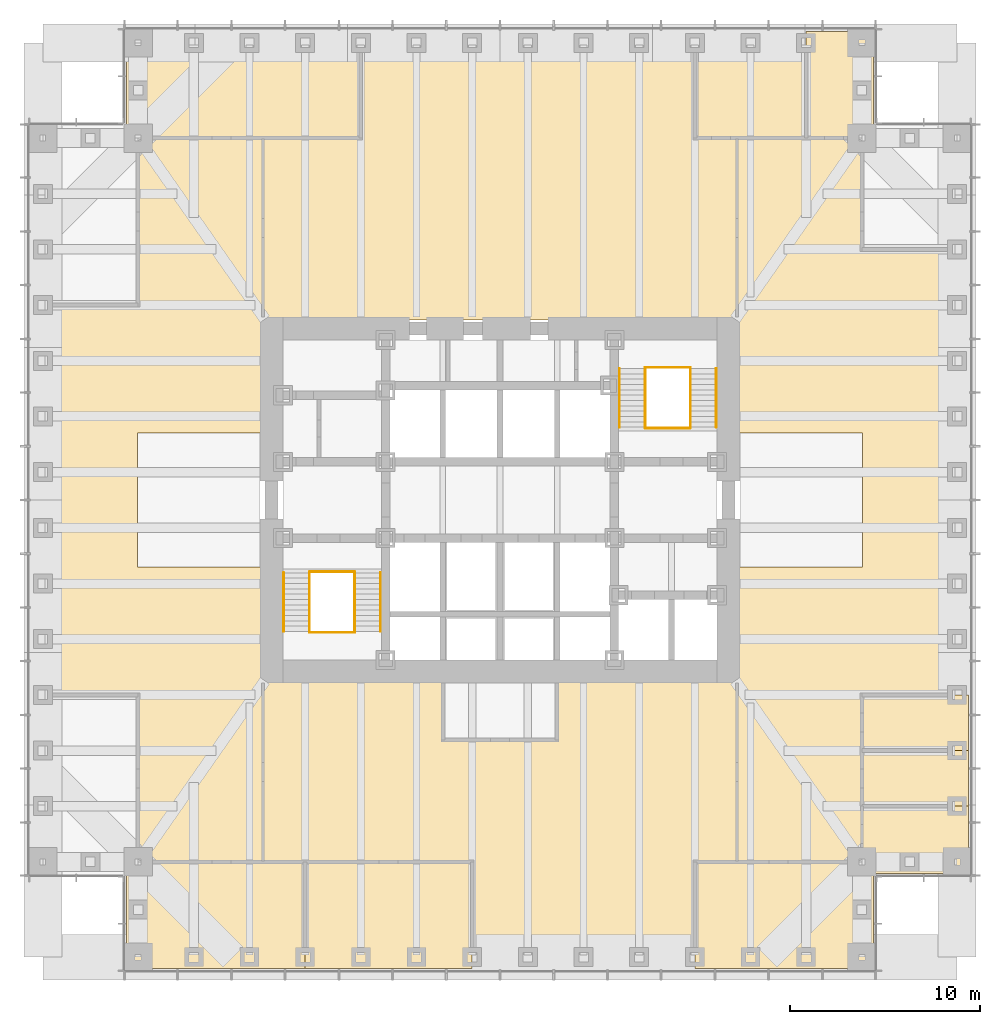
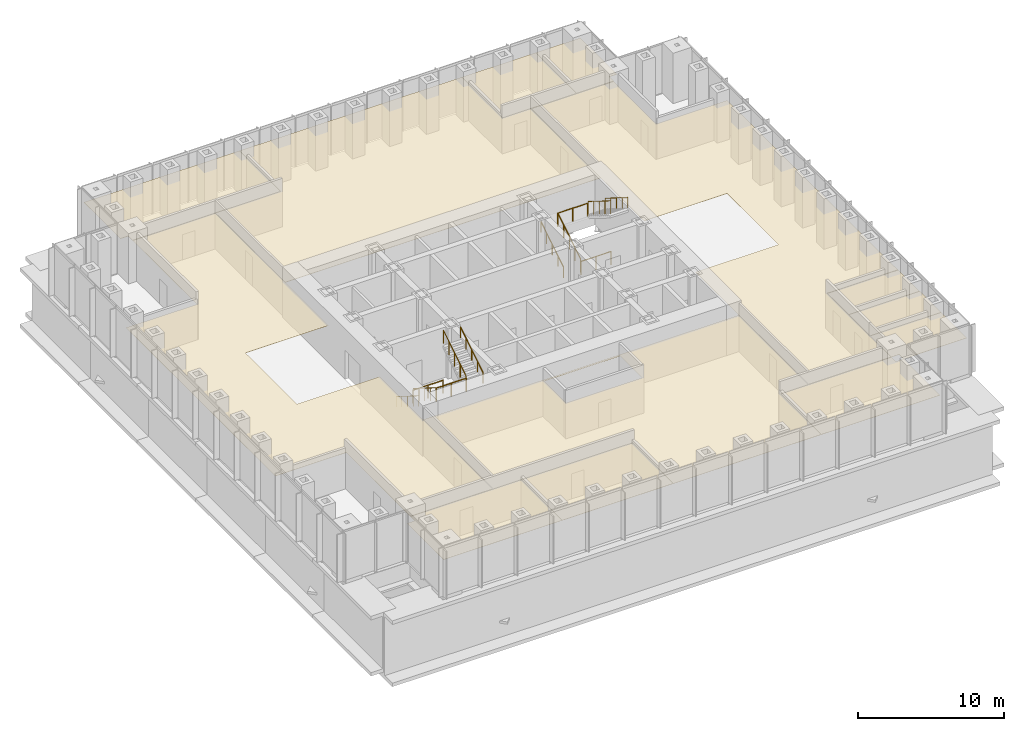
# One storey, part 16 of 16: 13 coverings, 12 railings.
"""IFC4 building model written with IfcOpenShell, lengths in metres."""

from ifc_helpers import new_model, si_unit, direction, frame, origin, origin_2d, place, context, subcontext, project, spatial, polyline, circle, outline, extrude, material, layer, layer_set, type_object, element, save


model = new_model("IFC4")

# Units and contexts
model_context = context("Model", 3, precision=1e-05, world=origin(), true_north=direction((0.0, 1.0)))
body_context = subcontext(model_context, "Body", "Model", "MODEL_VIEW")
ifc_project = project(units=[si_unit("LENGTHUNIT", "METRE"), si_unit("AREAUNIT", "SQUARE_METRE"), si_unit("VOLUMEUNIT", "CUBIC_METRE"), si_unit("PLANEANGLEUNIT", "RADIAN"), si_unit("MASSUNIT", "GRAM", prefix="KILO")], contexts=[model_context])

# Site, building, storey
site_placement = place(None, origin())
site = spatial("IfcSite", under=ifc_project, at=site_placement, CompositionType="ELEMENT")
building_placement = place(site_placement, origin())
building = spatial("IfcBuilding", under=site, at=building_placement, Name="Daluyong Arena Tower", CompositionType="ELEMENT")
storey_placement = place(building_placement, frame((0.0, 0.0, 34.89990234375)))
storey = spatial("IfcBuildingStorey", under=building, at=storey_placement, Name="L06", CompositionType="ELEMENT", Elevation=34.89990234375)

# Coverings
ifc_material_1 = material(Name="Mineral fibre ceiling tile", Category="gypsum board")
ifc_layer = layer(ifc_material_1, 0.02001953125)
ifc_layer_set = layer_set([ifc_layer], Name="Mineral fibre ceiling tile")
covering_type = type_object("IfcCoveringType", Name="Office ceiling", PredefinedType="CEILING", material=ifc_layer_set)
covering_1_placement = place(storey_placement, frame((0.0, 0.0, 2.900146484375)))
element("IfcCovering", 1, at=covering_1_placement, inside=storey, type_object=covering_type, Name="ceiling L06-01", PredefinedType="CEILING", context=body_context, shape_type="SweptSolid", body=[
    extrude(outline(polyline([(36.39990234375, 60.39990234375), (36.39990234375, 55.39990234375), (45.769287109375, 55.39990234375), (45.769287109375, 61.0), (37.0, 61.0), (37.0, 60.39990234375), (36.39990234375, 60.39990234375)])), origin(), (0.0, 0.0, 1.0), 0.02001953125),
])
covering_2_placement = place(storey_placement, frame((0.0, 0.0, 2.900146484375)))
element("IfcCovering", 2, at=covering_2_placement, inside=storey, type_object=covering_type, Name="ceiling L06-02", PredefinedType="CEILING", context=body_context, shape_type="SweptSolid", body=[
    extrude(outline(polyline([(45.769287109375, 61.0), (45.769287109375, 55.39990234375), (54.53857421875, 55.39990234375), (54.53857421875, 61.0), (45.769287109375, 61.0)])), origin(), (0.0, 0.0, 1.0), 0.02001953125),
])
covering_3_placement = place(storey_placement, frame((0.0, 0.0, 2.900146484375)))
element("IfcCovering", 3, at=covering_3_placement, inside=storey, type_object=covering_type, Name="ceiling L06-03", PredefinedType="CEILING", context=body_context, shape_type="SweptSolid", body=[
    extrude(outline(polyline([(75.60009765625, 55.39990234375), (75.60009765625, 60.39990234375), (75.0, 60.39990234375), (75.0, 61.0), (66.230712890625, 61.0), (66.230712890625, 55.39990234375), (75.60009765625, 55.39990234375)])), origin(), (0.0, 0.0, 1.0), 0.02001953125),
])
covering_4_placement = place(storey_placement, frame((0.0, 0.0, 2.900146484375)))
element("IfcCovering", 4, at=covering_4_placement, inside=storey, type_object=covering_type, Name="ceiling L06-04", PredefinedType="CEILING", context=body_context, shape_type="SweptSolid", body=[
    extrude(outline(polyline([(75.60009765625, 60.39990234375), (80.60009765625, 60.39990234375), (80.60009765625, 63.923095703125), (75.0, 63.923095703125), (75.0, 61.0), (75.60009765625, 61.0), (75.60009765625, 60.39990234375)])), origin(), (0.0, 0.0, 1.0), 0.02001953125),
])
covering_5_placement = place(storey_placement, frame((0.0, 0.0, 2.900146484375)))
element("IfcCovering", 5, at=covering_5_placement, inside=storey, type_object=covering_type, Name="ceiling L06-05", PredefinedType="CEILING", context=body_context, shape_type="SweptSolid", body=[
    extrude(outline(polyline([(75.0, 63.923095703125), (80.60009765625, 63.923095703125), (80.60009765625, 66.84619140625), (75.0, 66.84619140625), (75.0, 63.923095703125)])), origin(), (0.0, 0.0, 1.0), 0.02001953125),
])
covering_6_placement = place(storey_placement, frame((0.0, 0.0, 2.900146484375)))
element("IfcCovering", 6, at=covering_6_placement, inside=storey, type_object=covering_type, Name="ceiling L06-06", PredefinedType="CEILING", context=body_context, shape_type="SweptSolid", body=[
    extrude(outline(polyline([(75.0, 66.84619140625), (80.60009765625, 66.84619140625), (80.60009765625, 69.769287109375), (75.0, 69.769287109375), (75.0, 66.84619140625)])), origin(), (0.0, 0.0, 1.0), 0.02001953125),
])
covering_7_placement = place(storey_placement, frame((0.0, 0.0, 2.900146484375)))
element("IfcCovering", 7, at=covering_7_placement, inside=storey, type_object=covering_type, Name="ceiling L06-08", PredefinedType="CEILING", context=body_context, shape_type="SweptSolid", body=[
    extrude(outline(polyline([(48.6923828125, 99.0), (48.6923828125, 104.60009765625), (36.39990234375, 104.60009765625), (36.39990234375, 99.60009765625), (37.0, 99.60009765625), (37.0, 99.0), (48.6923828125, 99.0)])), origin(), (0.0, 0.0, 1.0), 0.02001953125),
])
covering_8_placement = place(storey_placement, frame((0.0, 0.0, 2.900146484375)))
element("IfcCovering", 8, at=covering_8_placement, inside=storey, type_object=covering_type, Name="ceiling L06-09", PredefinedType="CEILING", context=body_context, shape_type="SweptSolid", body=[
    extrude(outline(polyline([(72.076904296875, 99.0), (72.076904296875, 104.60009765625), (66.230712890625, 104.60009765625), (66.230712890625, 99.0), (72.076904296875, 99.0)])), origin(), (0.0, 0.0, 1.0), 0.02001953125),
])
covering_9_placement = place(storey_placement, frame((0.0, 0.0, 2.900146484375)))
element("IfcCovering", 9, at=covering_9_placement, inside=storey, type_object=covering_type, Name="ceiling L06-10", PredefinedType="CEILING", context=body_context, shape_type="SweptSolid", body=[
    extrude(outline(polyline([(72.076904296875, 99.0), (75.0, 99.0), (75.0, 99.60009765625), (75.60009765625, 99.60009765625), (75.60009765625, 104.60009765625), (72.076904296875, 104.60009765625), (72.076904296875, 99.0)])), origin(), (0.0, 0.0, 1.0), 0.02001953125),
])
covering_10_placement = place(storey_placement, frame((0.0, 0.0, 2.900146484375)))
element("IfcCovering", 10, at=covering_10_placement, inside=storey, type_object=covering_type, Name="ceiling L06-16", PredefinedType="CEILING", context=body_context, shape_type="SweptSolid", body=[
    extrude(outline(polyline([(66.230712890625, 61.0), (68.449951171875, 61.0), (68.449951171875, 70.550048828125), (43.550048828125, 70.550048828125), (43.550048828125, 61.0), (54.53857421875, 61.0), (54.53857421875, 55.39990234375), (66.230712890625, 55.39990234375), (66.230712890625, 61.0)]), holes=[polyline([(59.0, 67.39990234375), (53.0, 67.39990234375), (53.0, 70.39990234375), (59.0, 70.39990234375), (59.0, 67.39990234375)])]), origin(), (0.0, 0.0, 1.0), 0.02001953125),
])
covering_11_placement = place(storey_placement, frame((0.0, 0.0, 2.900146484375)))
element("IfcCovering", 11, at=covering_11_placement, inside=storey, type_object=covering_type, Name="ceiling L06-17", PredefinedType="CEILING", context=body_context, shape_type="SweptSolid", body=[
    extrude(outline(polyline([(80.580078125, 93.1337890625), (74.97998046875, 93.1337890625), (74.97998046875, 98.97998046875), (68.469970703125, 98.97998046875), (68.469970703125, 83.52001953125), (75.02001953125, 83.52001953125), (75.02001953125, 76.47998046875), (68.469970703125, 76.47998046875), (68.469970703125, 61.02001953125), (74.97998046875, 61.02001953125), (74.97998046875, 69.789306640625), (80.580078125, 69.789306640625), (80.580078125, 93.1337890625)])), origin(), (0.0, 0.0, 1.0), 0.02001953125),
])
covering_12_placement = place(storey_placement, frame((0.0, 0.0, 2.900146484375)))
element("IfcCovering", 12, at=covering_12_placement, inside=storey, type_object=covering_type, Name="ceiling L06-18", PredefinedType="CEILING", context=body_context, shape_type="SweptSolid", body=[
    extrude(outline(polyline([(48.6923828125, 99.0), (43.550048828125, 99.0), (43.550048828125, 89.449951171875), (68.449951171875, 89.449951171875), (68.449951171875, 99.0), (66.230712890625, 99.0), (66.230712890625, 104.60009765625), (48.6923828125, 104.60009765625), (48.6923828125, 99.0)])), origin(), (0.0, 0.0, 1.0), 0.02001953125),
])
covering_13_placement = place(storey_placement, frame((0.0, 0.0, 2.900146484375)))
element("IfcCovering", 13, at=covering_13_placement, inside=storey, type_object=covering_type, Name="ceiling L06-19", PredefinedType="CEILING", context=body_context, shape_type="SweptSolid", body=[
    extrude(outline(polyline([(31.419921875, 69.789306640625), (37.02001953125, 69.789306640625), (37.02001953125, 61.02001953125), (43.530029296875, 61.02001953125), (43.530029296875, 76.47998046875), (36.97998046875, 76.47998046875), (36.97998046875, 83.52001953125), (43.530029296875, 83.52001953125), (43.530029296875, 98.97998046875), (37.02001953125, 98.97998046875), (37.02001953125, 90.210693359375), (31.419921875, 90.210693359375), (31.419921875, 69.789306640625)])), origin(), (0.0, 0.0, 1.0), 0.02001953125),
])

# Railings
ifc_material_2 = material(Name="Stainless steel handrail", Category="steel")
railing_type_1 = type_object("IfcRailingType", Name="Stair handrail", PredefinedType="HANDRAIL", material=ifc_material_2)
railing_1_placement = place(storey_placement, frame((44.64990234375, 76.175048828125, 0.175048828125)))
element("IfcRailing", 14, at=railing_1_placement, inside=storey, type_object=railing_type_1, Name="exit stair A handrail L06", PredefinedType="HANDRAIL", context=body_context, shape_type="SweptSolid", body=[
    extrude(circle(Radius=0.02392578125, at=origin_2d()), frame((0.0, 0.0, 0.8759765625), z_axis=(0.0, -0.847998304005, 0.529998940003), x_axis=(1.0, 0.0, 0.0)), (0.0, 0.0, 1.0), 3.632080078125),
    extrude(circle(Radius=0.02099609375, at=origin_2d()), origin(), (0.0, 0.0, 1.0), 0.851806640625),
    extrude(circle(Radius=0.02099609375, at=origin_2d()), frame((0.0, -0.77001953125, 0.481201171875)), (0.0, 0.0, 1.0), 0.851806640625),
    extrude(circle(Radius=0.02099609375, at=origin_2d()), frame((0.0, -1.5400390625, 0.96240234375)), (0.0, 0.0, 1.0), 0.851806640625),
    extrude(circle(Radius=0.02099609375, at=origin_2d()), frame((0.0, -2.31005859375, 1.44384765625)), (0.0, 0.0, 1.0), 0.851806640625),
    extrude(circle(Radius=0.02099609375, at=origin_2d()), frame((0.0, -3.080078125, 1.925048828125)), (0.0, 0.0, 1.0), 0.851806640625),
])
for number, where, name in (
    (15, (49.72509765625, 73.094970703125, 2.275146484375), "exit stair A handrail L06"),
    (16, (62.27490234375, 83.824951171875, 0.175048828125), "exit stair B handrail L06"),
):
    element("IfcRailing", number, at=place(storey_placement, frame(where)), inside=storey, type_object=railing_type_1, Name=name, PredefinedType="HANDRAIL", context=body_context, shape_type="SweptSolid", body=[
        extrude(circle(Radius=0.02392578125, at=origin_2d()), frame((0.0, 0.0, 0.8759765625), z_axis=(0.0, 0.847998304005, 0.529998940003), x_axis=(-1.0, 0.0, 0.0)), (0.0, 0.0, 1.0), 3.632080078125),
        extrude(circle(Radius=0.02099609375, at=origin_2d()), origin(), (0.0, 0.0, 1.0), 0.851806640625),
        extrude(circle(Radius=0.02099609375, at=origin_2d()), frame((0.0, 0.77001953125, 0.481201171875)), (0.0, 0.0, 1.0), 0.851806640625),
        extrude(circle(Radius=0.02099609375, at=origin_2d()), frame((0.0, 1.5400390625, 0.96240234375)), (0.0, 0.0, 1.0), 0.851806640625),
        extrude(circle(Radius=0.02099609375, at=origin_2d()), frame((0.0, 2.31005859375, 1.44384765625)), (0.0, 0.0, 1.0), 0.851806640625),
        extrude(circle(Radius=0.02099609375, at=origin_2d()), frame((0.0, 3.080078125, 1.925048828125)), (0.0, 0.0, 1.0), 0.851806640625),
    ])
railing_2_placement = place(storey_placement, frame((67.35009765625, 86.905029296875, 2.275146484375)))
element("IfcRailing", 17, at=railing_2_placement, inside=storey, type_object=railing_type_1, Name="exit stair B handrail L06", PredefinedType="HANDRAIL", context=body_context, shape_type="SweptSolid", body=[
    extrude(circle(Radius=0.02392578125, at=origin_2d()), frame((0.0, 0.0, 0.8759765625), z_axis=(0.0, -0.847998304005, 0.529998940003), x_axis=(1.0, 0.0, 0.0)), (0.0, 0.0, 1.0), 3.632080078125),
    extrude(circle(Radius=0.02099609375, at=origin_2d()), origin(), (0.0, 0.0, 1.0), 0.851806640625),
    extrude(circle(Radius=0.02099609375, at=origin_2d()), frame((0.0, -0.77001953125, 0.481201171875)), (0.0, 0.0, 1.0), 0.851806640625),
    extrude(circle(Radius=0.02099609375, at=origin_2d()), frame((0.0, -1.5400390625, 0.96240234375)), (0.0, 0.0, 1.0), 0.851806640625),
    extrude(circle(Radius=0.02099609375, at=origin_2d()), frame((0.0, -2.31005859375, 1.44384765625)), (0.0, 0.0, 1.0), 0.851806640625),
    extrude(circle(Radius=0.02099609375, at=origin_2d()), frame((0.0, -3.080078125, 1.925048828125)), (0.0, 0.0, 1.0), 0.851806640625),
])
ifc_material_3 = material(Name="Steel balustrade", Category="steel")
railing_type_2 = type_object("IfcRailingType", Name="Stair well guard 1100", PredefinedType="GUARDRAIL", material=ifc_material_3)
railing_3_placement = place(storey_placement, frame((46.0, 76.175048828125, 0.175048828125)))
element("IfcRailing", 18, at=railing_3_placement, inside=storey, type_object=railing_type_2, Name="exit stair A well guard L06", PredefinedType="GUARDRAIL", context=body_context, shape_type="SweptSolid", body=[
    extrude(circle(Radius=0.02392578125, at=origin_2d()), frame((0.0, 0.0, 1.076171875), z_axis=(0.0, -0.847998304005, 0.529998940003), x_axis=(1.0, 0.0, 0.0)), (0.0, 0.0, 1.0), 3.632080078125),
    extrude(circle(Radius=0.02099609375, at=origin_2d()), origin(), (0.0, 0.0, 1.0), 1.052001953125),
    extrude(circle(Radius=0.02099609375, at=origin_2d()), frame((0.0, -0.77001953125, 0.481201171875)), (0.0, 0.0, 1.0), 1.052001953125),
    extrude(circle(Radius=0.02099609375, at=origin_2d()), frame((0.0, -1.5400390625, 0.96240234375)), (0.0, 0.0, 1.0), 1.052001953125),
    extrude(circle(Radius=0.02099609375, at=origin_2d()), frame((0.0, -2.31005859375, 1.44384765625)), (0.0, 0.0, 1.0), 1.052001953125),
    extrude(circle(Radius=0.02099609375, at=origin_2d()), frame((0.0, -3.080078125, 1.925048828125)), (0.0, 0.0, 1.0), 1.052001953125),
])
railing_4_placement = place(storey_placement, frame((48.375, 73.094970703125, 2.275146484375)))
element("IfcRailing", 19, at=railing_4_placement, inside=storey, type_object=railing_type_2, Name="exit stair A well guard L06", PredefinedType="GUARDRAIL", context=body_context, shape_type="SweptSolid", body=[
    extrude(circle(Radius=0.02392578125, at=origin_2d()), frame((0.0, 0.0, 1.076171875), z_axis=(0.0, 0.847998304005, 0.529998940003), x_axis=(-1.0, 0.0, 0.0)), (0.0, 0.0, 1.0), 3.632080078125),
    extrude(circle(Radius=0.02099609375, at=origin_2d()), origin(), (0.0, 0.0, 1.0), 1.052001953125),
    extrude(circle(Radius=0.02099609375, at=origin_2d()), frame((0.0, 0.77001953125, 0.481201171875)), (0.0, 0.0, 1.0), 1.052001953125),
    extrude(circle(Radius=0.02099609375, at=origin_2d()), frame((0.0, 1.5400390625, 0.96240234375)), (0.0, 0.0, 1.0), 1.052001953125),
    extrude(circle(Radius=0.02099609375, at=origin_2d()), frame((0.0, 2.31005859375, 1.44384765625)), (0.0, 0.0, 1.0), 1.052001953125),
    extrude(circle(Radius=0.02099609375, at=origin_2d()), frame((0.0, 3.080078125, 1.925048828125)), (0.0, 0.0, 1.0), 1.052001953125),
])
for number, where, name in (
    (20, (46.0, 73.044921875, 2.10009765625), "exit stair A landing guard L06"),
    (21, (46.0, 76.22509765625, 0.0), "exit stair A floor landing guard L06"),
):
    element("IfcRailing", number, at=place(storey_placement, frame(where)), inside=storey, type_object=railing_type_2, Name=name, PredefinedType="GUARDRAIL", context=body_context, shape_type="SweptSolid", body=[
        extrude(circle(Radius=0.02392578125, at=origin_2d()), frame((0.0, 0.0, 1.076171875), z_axis=(1.0, 0.0, 0.0), x_axis=(0.0, 1.0, 0.0)), (0.0, 0.0, 1.0), 2.375),
        extrude(circle(Radius=0.02099609375, at=origin_2d()), origin(), (0.0, 0.0, 1.0), 1.052001953125),
        extrude(circle(Radius=0.02099609375, at=origin_2d()), frame((1.1875, 0.0, 0.0)), (0.0, 0.0, 1.0), 1.052001953125),
        extrude(circle(Radius=0.02099609375, at=origin_2d()), frame((2.375, 0.0, 0.0)), (0.0, 0.0, 1.0), 1.052001953125),
    ])
railing_5_placement = place(storey_placement, frame((63.625, 83.824951171875, 0.175048828125)))
element("IfcRailing", 22, at=railing_5_placement, inside=storey, type_object=railing_type_2, Name="exit stair B well guard L06", PredefinedType="GUARDRAIL", context=body_context, shape_type="SweptSolid", body=[
    extrude(circle(Radius=0.02392578125, at=origin_2d()), frame((0.0, 0.0, 1.076171875), z_axis=(0.0, 0.847998304005, 0.529998940003), x_axis=(-1.0, 0.0, 0.0)), (0.0, 0.0, 1.0), 3.632080078125),
    extrude(circle(Radius=0.02099609375, at=origin_2d()), origin(), (0.0, 0.0, 1.0), 1.052001953125),
    extrude(circle(Radius=0.02099609375, at=origin_2d()), frame((0.0, 0.77001953125, 0.481201171875)), (0.0, 0.0, 1.0), 1.052001953125),
    extrude(circle(Radius=0.02099609375, at=origin_2d()), frame((0.0, 1.5400390625, 0.96240234375)), (0.0, 0.0, 1.0), 1.052001953125),
    extrude(circle(Radius=0.02099609375, at=origin_2d()), frame((0.0, 2.31005859375, 1.44384765625)), (0.0, 0.0, 1.0), 1.052001953125),
    extrude(circle(Radius=0.02099609375, at=origin_2d()), frame((0.0, 3.080078125, 1.925048828125)), (0.0, 0.0, 1.0), 1.052001953125),
])
railing_6_placement = place(storey_placement, frame((66.0, 86.905029296875, 2.275146484375)))
element("IfcRailing", 23, at=railing_6_placement, inside=storey, type_object=railing_type_2, Name="exit stair B well guard L06", PredefinedType="GUARDRAIL", context=body_context, shape_type="SweptSolid", body=[
    extrude(circle(Radius=0.02392578125, at=origin_2d()), frame((0.0, 0.0, 1.076171875), z_axis=(0.0, -0.847998304005, 0.529998940003), x_axis=(1.0, 0.0, 0.0)), (0.0, 0.0, 1.0), 3.632080078125),
    extrude(circle(Radius=0.02099609375, at=origin_2d()), origin(), (0.0, 0.0, 1.0), 1.052001953125),
    extrude(circle(Radius=0.02099609375, at=origin_2d()), frame((0.0, -0.77001953125, 0.481201171875)), (0.0, 0.0, 1.0), 1.052001953125),
    extrude(circle(Radius=0.02099609375, at=origin_2d()), frame((0.0, -1.5400390625, 0.96240234375)), (0.0, 0.0, 1.0), 1.052001953125),
    extrude(circle(Radius=0.02099609375, at=origin_2d()), frame((0.0, -2.31005859375, 1.44384765625)), (0.0, 0.0, 1.0), 1.052001953125),
    extrude(circle(Radius=0.02099609375, at=origin_2d()), frame((0.0, -3.080078125, 1.925048828125)), (0.0, 0.0, 1.0), 1.052001953125),
])
for number, where, name in (
    (24, (63.625, 86.955078125, 2.10009765625), "exit stair B landing guard L06"),
    (25, (63.625, 83.77490234375, 0.0), "exit stair B floor landing guard L06"),
):
    element("IfcRailing", number, at=place(storey_placement, frame(where)), inside=storey, type_object=railing_type_2, Name=name, PredefinedType="GUARDRAIL", context=body_context, shape_type="SweptSolid", body=[
        extrude(circle(Radius=0.02392578125, at=origin_2d()), frame((0.0, 0.0, 1.076171875), z_axis=(1.0, 0.0, 0.0), x_axis=(0.0, 1.0, 0.0)), (0.0, 0.0, 1.0), 2.375),
        extrude(circle(Radius=0.02099609375, at=origin_2d()), origin(), (0.0, 0.0, 1.0), 1.052001953125),
        extrude(circle(Radius=0.02099609375, at=origin_2d()), frame((1.1875, 0.0, 0.0)), (0.0, 0.0, 1.0), 1.052001953125),
        extrude(circle(Radius=0.02099609375, at=origin_2d()), frame((2.375, 0.0, 0.0)), (0.0, 0.0, 1.0), 1.052001953125),
    ])

save(model, "model.ifc")
